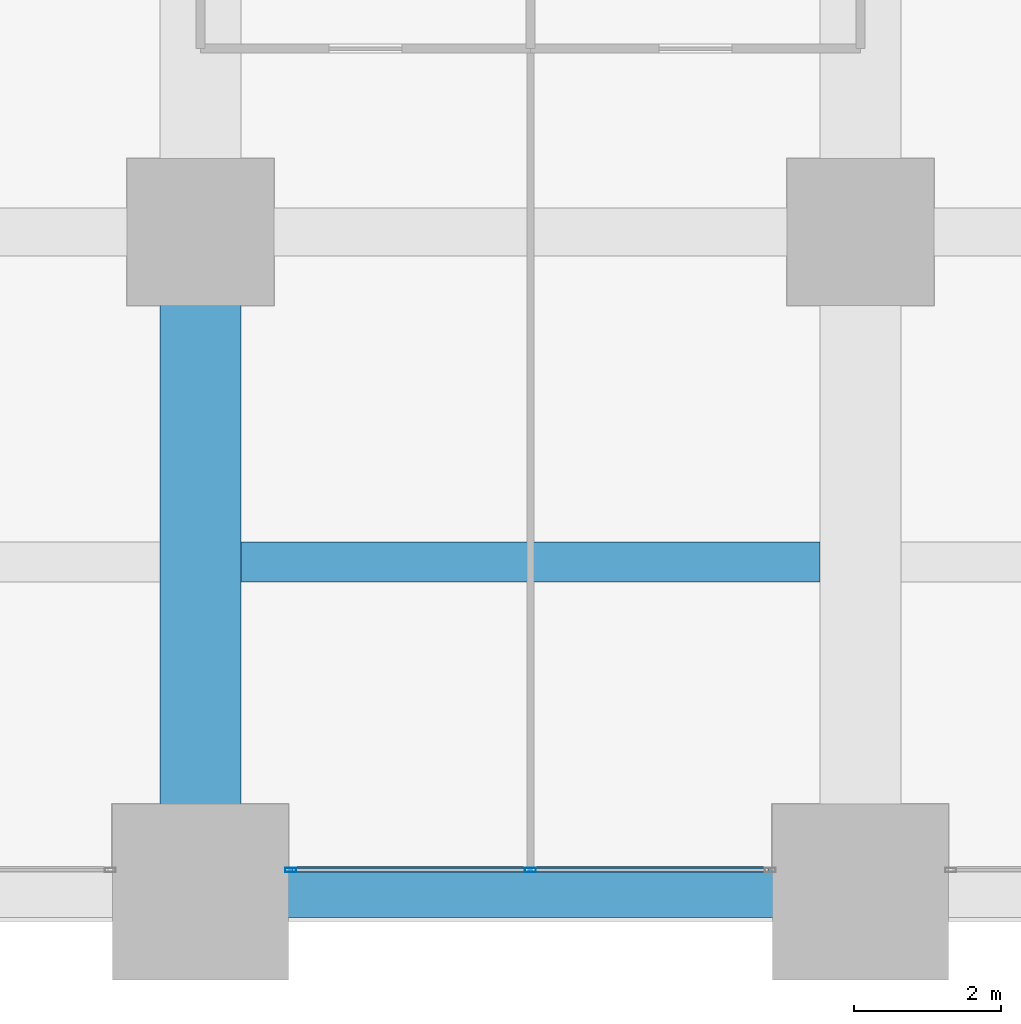
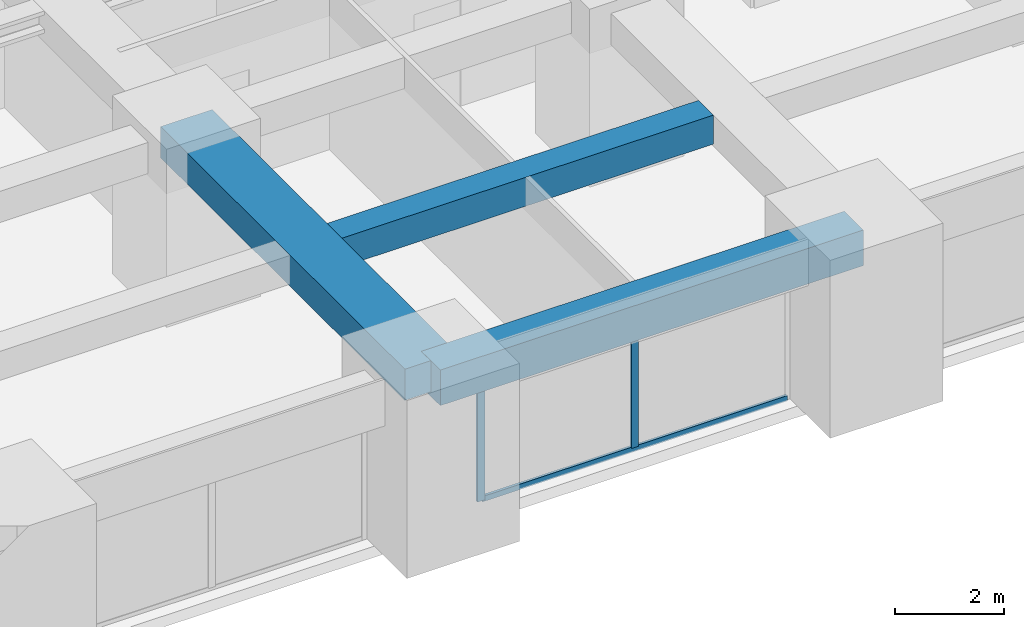
# One storey, part 7 of 41: 3 beams, 3 members, 1 element without a shape of its own.
"""IFC4 building model written with IfcOpenShell, lengths in metres."""

from ifc_helpers import new_model, si_unit, direction, frame, origin, origin_2d, place, context, subcontext, project, spatial, rectangle, hollow_rectangle, extrude, material, material_profile, profile_set, type_object, element, aggregate, save


model = new_model("IFC4")

# Units and contexts
model_context = context("Model", 3, precision=1e-05, world=origin(), true_north=direction((0.0, 1.0)))
body_context = subcontext(model_context, "Body", "Model", "MODEL_VIEW")
ifc_project = project(units=[si_unit("LENGTHUNIT", "METRE"), si_unit("AREAUNIT", "SQUARE_METRE"), si_unit("VOLUMEUNIT", "CUBIC_METRE"), si_unit("PLANEANGLEUNIT", "RADIAN"), si_unit("MASSUNIT", "GRAM", prefix="KILO")], contexts=[model_context])

# Site, building, storey
site_placement = place(None, origin())
site = spatial("IfcSite", under=ifc_project, at=site_placement, CompositionType="ELEMENT")
building_placement = place(site_placement, origin())
building = spatial("IfcBuilding", under=site, at=building_placement, Name="Zorevar Civic Tower", CompositionType="ELEMENT")
storey_placement = place(building_placement, frame((0.0, 0.0, 109.0)))
storey = spatial("IfcBuildingStorey", under=building, at=storey_placement, Name="L26", CompositionType="ELEMENT", Elevation=109.0)

# Beams
ifc_material_1 = material(Name="Concrete C50/60", Category="concrete")
ifc_material_profile_1 = material_profile(ifc_material_1, rectangle(XDim=1.10009765625, YDim=0.699951171875, at=origin_2d()), Name="RC 1100x700")
ifc_profile_set_1 = profile_set([ifc_material_profile_1], Name="Concrete C50/60")
beam_type_1 = type_object("IfcBeamType", Name="Beam RC 1100x700", PredefinedType="BEAM", material=ifc_profile_set_1)
beam_1_placement = place(storey_placement, frame((27.0, 0.0, 3.39990234375), z_axis=(0.0, 1.0, 0.0), x_axis=(-1.0, 0.0, 0.0)))
element("IfcBeam", 1, at=beam_1_placement, inside=storey, type_object=beam_type_1, Name="Girder L27", PredefinedType="BEAM", context=body_context, shape_type="SweptSolid", body=[
    extrude(rectangle(XDim=1.10009765625, YDim=0.699951171875, at=origin_2d()), origin(), (0.0, 0.0, 1.0), 9.0),
])
ifc_material_2 = material(Name="Concrete C50/60", Category="concrete")
ifc_material_profile_2 = material_profile(ifc_material_2, rectangle(XDim=0.550048828125, YDim=0.64990234375, at=origin_2d()), Name="RC 550x650")
ifc_profile_set_2 = profile_set([ifc_material_profile_2], Name="Concrete C50/60")
beam_type_2 = type_object("IfcBeamType", Name="Beam RC 550x650", PredefinedType="BEAM", material=ifc_profile_set_2)
beam_2_placement = place(storey_placement, frame((27.550048828125, 4.5, 3.425048828125), z_axis=(1.0, 0.0, 0.0), x_axis=(0.0, 1.0, 0.0)))
element("IfcBeam", 2, at=beam_2_placement, inside=storey, type_object=beam_type_2, Name="Secondary beam L27", PredefinedType="BEAM", context=body_context, shape_type="SweptSolid", body=[
    extrude(rectangle(XDim=0.550048828125, YDim=0.64990234375, at=origin_2d()), origin(), (0.0, 0.0, 1.0), 7.89990234375),
])

# Curtain wall, members
ifc_material_3 = material(Name="Dark grey solar-control glass in black aluminium frame", Category="aluminium")
curtain_wall_type = type_object("IfcCurtainWallType", Name="Curtain wall CW3 mid zone", PredefinedType="NOTDEFINED", material=ifc_material_3)
curtain_wall_placement = place(storey_placement, origin())
curtain_wall = element("IfcCurtainWall", 3, at=curtain_wall_placement, inside=storey, type_object=curtain_wall_type, Name="CW3 L26", PredefinedType="NOTDEFINED")
ifc_material_4 = material(Name="Aluminium, black anodised", Category="aluminium")
ifc_material_profile_3 = material_profile(ifc_material_4, hollow_rectangle(XDim=0.06005859375, YDim=0.14990234375, WallThickness=0.00390625, at=origin_2d()), Name="AL 150x60x4")
ifc_profile_set_3 = profile_set([ifc_material_profile_3], Name="Aluminium, black anodised")
member_type_1 = type_object("IfcMemberType", Name="CW3 mullion AL 150x60x4", PredefinedType="MULLION", material=ifc_profile_set_3)
member_1_placement = place(storey_placement, frame((28.22998046875, 0.300048828125, 0.0), z_axis=(0.0, 0.0, 1.0), x_axis=(0.0, 1.0, 0.0)))
member_1 = element("IfcMember", 4, at=member_1_placement, type_object=member_type_1, Name="CW3 mullion 1", PredefinedType="MULLION", context=body_context, shape_type="SweptSolid", body=[
    extrude(hollow_rectangle(XDim=0.06005859375, YDim=0.14990234375, WallThickness=0.00390625, at=origin_2d()), origin(), (0.0, 0.0, 1.0), 2.949951171875),
])
member_2_placement = place(storey_placement, frame((31.5, 0.300048828125, 0.06005859375), z_axis=(0.0, 0.0, 1.0), x_axis=(0.0, 1.0, 0.0)))
member_2 = element("IfcMember", 5, at=member_2_placement, type_object=member_type_1, Name="CW3 mullion 2", PredefinedType="MULLION", context=body_context, shape_type="SweptSolid", body=[
    extrude(hollow_rectangle(XDim=0.06005859375, YDim=0.14990234375, WallThickness=0.00390625, at=origin_2d()), origin(), (0.0, 0.0, 1.0), 2.889892578125),
])
ifc_material_5 = material(Name="Aluminium, black anodised", Category="aluminium")
ifc_material_profile_4 = material_profile(ifc_material_5, hollow_rectangle(XDim=0.06005859375, YDim=0.1201171875, WallThickness=0.0029296875, at=origin_2d()), Name="AL 120x60x3")
ifc_profile_set_4 = profile_set([ifc_material_profile_4], Name="Aluminium, black anodised")
member_type_2 = type_object("IfcMemberType", Name="CW3 transom AL 120x60x3", PredefinedType="USERDEFINED", material=ifc_profile_set_4)
member_3_placement = place(storey_placement, frame((28.260009765625, 0.300048828125, 0.030029296875), z_axis=(1.0, 0.0, 0.0), x_axis=(0.0, 1.0, 0.0)))
member_3 = element("IfcMember", 6, at=member_3_placement, type_object=member_type_2, Name="CW3 sill transom", ObjectType="TRANSOM", PredefinedType="USERDEFINED", context=body_context, shape_type="SweptSolid", body=[
    extrude(hollow_rectangle(XDim=0.06005859375, YDim=0.1201171875, WallThickness=0.0029296875, at=origin_2d()), origin(), (0.0, 0.0, 1.0), 6.47998046875),
])
aggregate(curtain_wall, [member_1, member_2, member_3])

# Beam
ifc_material_6 = material(Name="Concrete C50/60", Category="concrete")
ifc_material_profile_5 = material_profile(ifc_material_6, rectangle(XDim=0.699951171875, YDim=0.800048828125, at=origin_2d()), Name="RC 700x800")
ifc_profile_set_5 = profile_set([ifc_material_profile_5], Name="Concrete C50/60")
beam_type_3 = type_object("IfcBeamType", Name="Edge beam RC 700x800", PredefinedType="SPANDREL", material=ifc_profile_set_5)
beam_3_placement = place(storey_placement, frame((27.0, 0.0, 3.35009765625), z_axis=(1.0, 0.0, 0.0), x_axis=(0.0, 1.0, 0.0)))
element("IfcBeam", 7, at=beam_3_placement, inside=storey, type_object=beam_type_3, Name="Edge beam L27", PredefinedType="SPANDREL", context=body_context, shape_type="SweptSolid", body=[
    extrude(rectangle(XDim=0.699951171875, YDim=0.800048828125, at=origin_2d()), origin(), (0.0, 0.0, 1.0), 9.0),
])

save(model, "model.ifc")
